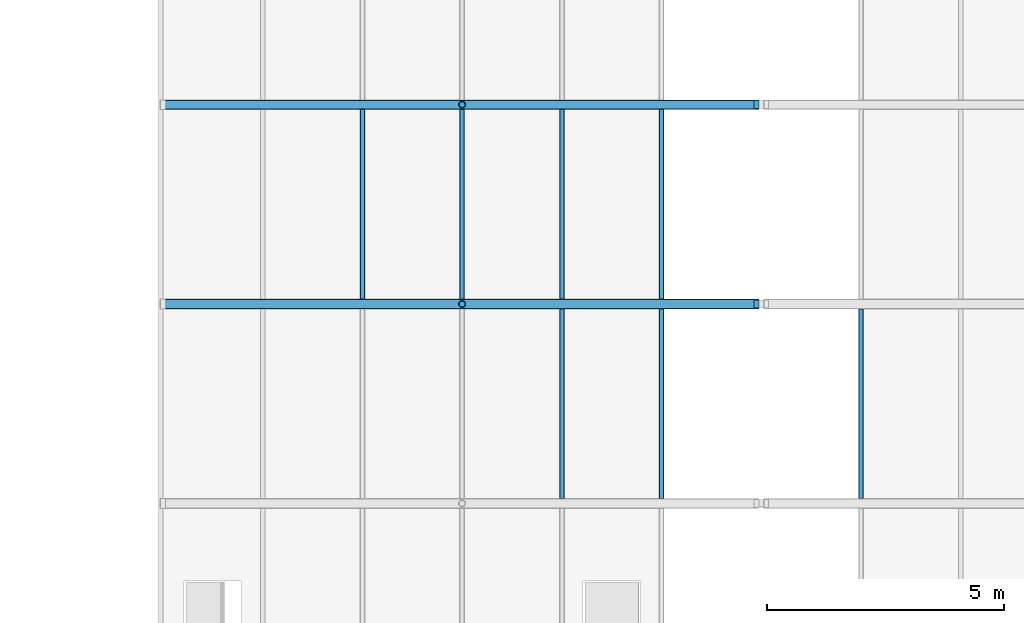
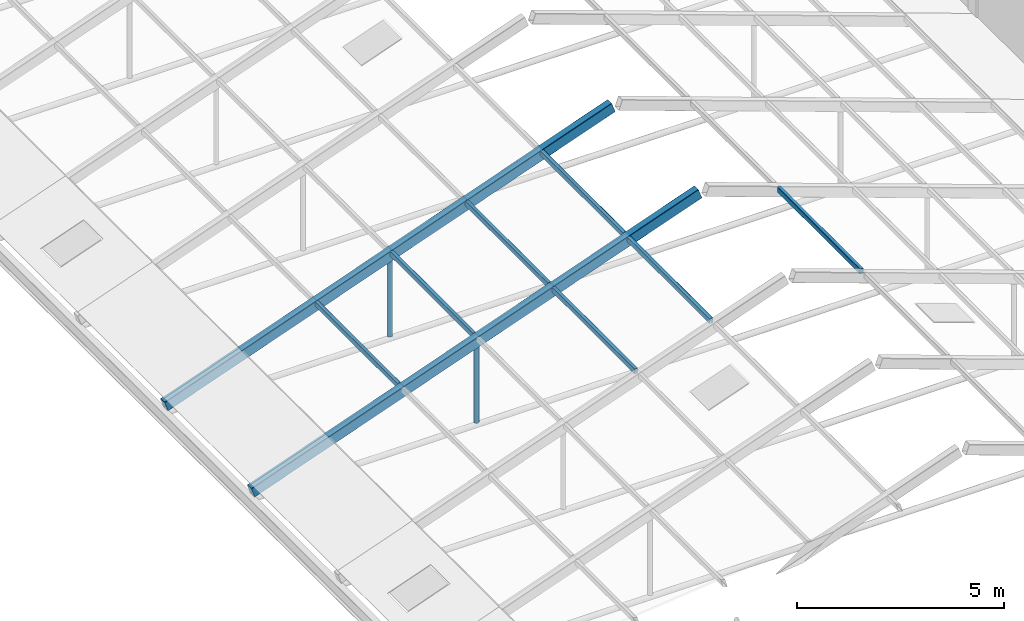
# One storey, part 48 of 116: 11 members.
"""IFC4 building model written with IfcOpenShell, lengths in metres."""

import ifcopenshell
import ifcopenshell.guid

model = None  # the IFC model being written
_history = None  # IfcOwnerHistory: only IFC2X3 demands one
_inside = {}  # id of a spatial element -> (the spatial element, [elements in it])
_under = {}  # id of a project, library or spatial element -> (it, [spatial elements below it])
_declared = {}  # id of a project -> (the project, [libraries it declares])
_typed = {}  # id of a type object -> (the type object, [elements of that type])
_made_of = {}  # id of a material, layer set ... -> (it, [elements and type objects made of it])


def new_model(schema):
    """Start an empty IFC model of exactly this schema.

    Asked for "IFC4X3", IfcOpenShell would pick the latest addendum, in which some entities
    have other attributes; the version numbers below select the first issue.
    IFC2X3 requires an IfcOwnerHistory on every rooted entity: one is made here for all.
    """
    global model, _history
    if schema == "IFC4X3":
        model = ifcopenshell.file(schema_version=(4, 3, 0, 0))
    else:
        model = ifcopenshell.file(schema=schema)
    _inside.clear()
    _under.clear()
    _declared.clear()
    _typed.clear()
    _made_of.clear()
    _history = None
    if model.schema == "IFC2X3":
        org = make("IfcOrganization", Name="unknown")
        user = make(
            "IfcPersonAndOrganization",
            ThePerson=make("IfcPerson", FamilyName="unknown"),
            TheOrganization=org,
        )
        app = make(
            "IfcApplication",
            ApplicationDeveloper=org,
            Version="unknown",
            ApplicationFullName="unknown",
            ApplicationIdentifier="unknown",
        )
        _history = make(
            "IfcOwnerHistory",
            OwningUser=user,
            OwningApplication=app,
            ChangeAction="ADDED",
            CreationDate=0,
        )
    return model


def make(cls, **values):
    """One entity of the class cls with the attributes given. An attribute that is None is left unset."""
    return model.create_entity(
        cls, **{name: value for name, value in values.items() if value is not None}
    )


def rooted(cls, **values):
    """An entity with a GlobalId (a new one), such as an element, a storey or a relation."""
    return make(cls, GlobalId=ifcopenshell.guid.new(), OwnerHistory=_history, **values)


def si_unit(unit_type, name, prefix=None):
    """IfcSIUnit, for example si_unit("LENGTHUNIT", "METRE", prefix="MILLI")."""
    return make("IfcSIUnit", UnitType=unit_type, Prefix=prefix, Name=name)


def assignment(units):
    """IfcUnitAssignment: the units of a project."""
    return None if units is None else make("IfcUnitAssignment", Units=units)


def point(xyz):
    """IfcCartesianPoint."""
    return None if xyz is None else make("IfcCartesianPoint", Coordinates=xyz)


def direction(xyz):
    """IfcDirection."""
    return None if xyz is None else make("IfcDirection", DirectionRatios=xyz)


def frame(location, z_axis=None, x_axis=None):
    """IfcAxis2Placement3D, a coordinate frame: its origin and axes. An axis left out is left unset."""
    return make(
        "IfcAxis2Placement3D",
        Location=point(location),
        Axis=direction(z_axis),
        RefDirection=direction(x_axis),
    )


def frame_2d(location, x_axis=None):
    """IfcAxis2Placement2D, a coordinate frame in the plane: its origin and x axis."""
    return make(
        "IfcAxis2Placement2D", Location=point(location), RefDirection=direction(x_axis)
    )


def origin():
    """The frame at (0, 0, 0) with its axes left unset."""
    return frame((0.0, 0.0, 0.0))


def origin_2d():
    """The frame at (0, 0) in the plane with its x axis left unset."""
    return frame_2d((0.0, 0.0))


def place(relative_to, where):
    """IfcLocalPlacement: puts the frame where relative to a parent placement (None: the world)."""
    return make(
        "IfcLocalPlacement", PlacementRelTo=relative_to, RelativePlacement=where
    )


def context(
    kind, dimensions, precision=None, world=None, true_north=None, identifier=None
):
    """IfcGeometricRepresentationContext, for example the 3D "Model" context."""
    return make(
        "IfcGeometricRepresentationContext",
        ContextIdentifier=identifier,
        ContextType=kind,
        CoordinateSpaceDimension=dimensions,
        Precision=precision,
        WorldCoordinateSystem=world,
        TrueNorth=true_north,
    )


def subcontext(parent, identifier, kind, view, scale=None):
    """IfcGeometricRepresentationSubContext, for example "Body" below "Model"."""
    return make(
        "IfcGeometricRepresentationSubContext",
        ContextIdentifier=identifier,
        ContextType=kind,
        ParentContext=parent,
        TargetScale=scale,
        TargetView=view,
    )


def project(units=None, contexts=None):
    """IfcProject with its units and contexts."""
    return rooted(
        "IfcProject",
        Name="project",
        RepresentationContexts=contexts,
        UnitsInContext=assignment(units),
    )


def spatial(cls, under=None, at=None, **own):
    """A site, building, storey or space (cls), placed at a placement, below another one or the project."""
    s = rooted(cls, ObjectPlacement=at, **own)
    if under is not None:
        _under.setdefault(under.id(), (under, []))[1].append(s)
    return s


def profile(cls, at=None, kind="AREA", **sizes):
    """A parametric profile (cls). Its sizes go by their IFC names, for example OverallWidth=200.0."""
    return make(cls, ProfileType=kind, Position=at, **sizes)


def hollow_rectangle(**sizes):
    """IfcRectangleHollowProfileDef."""
    return profile("IfcRectangleHollowProfileDef", **sizes)


def hollow_circle(**sizes):
    """IfcCircleHollowProfileDef."""
    return profile("IfcCircleHollowProfileDef", **sizes)


def extrude(swept, where, along, depth):
    """IfcExtrudedAreaSolid: the profile swept, set in the frame where, extruded along a direction by depth."""
    return make(
        "IfcExtrudedAreaSolid",
        SweptArea=swept,
        Position=where,
        ExtrudedDirection=direction(along),
        Depth=depth,
    )


def shape(context_of_items, identifier, shape_type, items):
    """IfcShapeRepresentation: the items that make up one representation, for example the "Body"."""
    return make(
        "IfcShapeRepresentation",
        ContextOfItems=context_of_items,
        RepresentationIdentifier=identifier,
        RepresentationType=shape_type,
        Items=items,
    )


def material(Name=None, Category=None):
    """IfcMaterial."""
    return make("IfcMaterial", Name=Name, Category=Category)


def material_profile(
    of_material, cross_section, Name=None, Category=None, Priority=None
):
    """IfcMaterialProfile: a cross section and its material."""
    return make(
        "IfcMaterialProfile",
        Name=Name,
        Material=of_material,
        Profile=cross_section,
        Priority=Priority,
        Category=Category,
    )


def profile_set(profiles, Name=None, composite=None):
    """IfcMaterialProfileSet."""
    return make(
        "IfcMaterialProfileSet",
        Name=Name,
        MaterialProfiles=profiles,
        CompositeProfile=composite,
    )


def made_of(thing, what):
    """Note that an element or type object is made of a material, layer set ...; save() writes the relation."""
    if what is not None:
        _made_of.setdefault(what.id(), (what, []))[1].append(thing)
    return thing


def type_object(cls, material=None, **own):
    """A type object (cls), such as IfcWallType, which elements share."""
    return made_of(rooted(cls, **own), material)


def element(
    cls,
    number,
    at=None,
    inside=None,
    cuts=None,
    type_object=None,
    material=None,
    context=None,
    identifier="Body",
    shape_type=None,
    held_by="IfcProductDefinitionShape",
    body=None,
    shapes=None,
    **own,
):
    """One element of the class cls, such as IfcWall. Its Tag is "e" and its number.

    at: its placement. inside: the storey or other place that contains it. cuts: it is an
    opening in that element (IfcRelVoidsElement). A single representation is given by context,
    identifier, shape_type and body (its items); several are given by shapes. held_by: the class
    of the entity that holds the representations. save() writes the other relations.
    """
    e = rooted(cls, Tag="e%d" % number, ObjectPlacement=at, **own)
    if body is not None:
        shapes = [shape(context, identifier, shape_type, body)]
    if shapes is not None:
        e.Representation = make(held_by, Representations=shapes)
    if inside is not None:
        _inside.setdefault(inside.id(), (inside, []))[1].append(e)
    if cuts is not None:
        rooted(
            "IfcRelVoidsElement", RelatingBuildingElement=cuts, RelatedOpeningElement=e
        )
    if type_object is not None:
        _typed.setdefault(type_object.id(), (type_object, []))[1].append(e)
    return made_of(e, material)


def aggregate(whole, parts):
    """IfcRelAggregates: a whole, such as a stair, and the parts it consists of."""
    return rooted("IfcRelAggregates", RelatingObject=whole, RelatedObjects=parts)


def save(model, path):
    """Write the relations noted so far, then the file.

    IfcRelAggregates (storeys below a building ...), IfcRelContainedInSpatialStructure (elements
    in a storey), IfcRelDefinesByType, IfcRelAssociatesMaterial and IfcRelDeclares: one each for
    every whole, place, type object, material and project.
    """
    for whole, parts in _under.values():
        aggregate(whole, parts)
    for where, things in _inside.values():
        rooted(
            "IfcRelContainedInSpatialStructure",
            RelatedElements=things,
            RelatingStructure=where,
        )
    for kind, things in _typed.values():
        rooted("IfcRelDefinesByType", RelatedObjects=things, RelatingType=kind)
    for what, things in _made_of.values():
        rooted("IfcRelAssociatesMaterial", RelatedObjects=things, RelatingMaterial=what)
    for by, libraries in _declared.values():
        rooted("IfcRelDeclares", RelatingContext=by, RelatedDefinitions=libraries)
    model.write(path)


model = new_model("IFC4")

# Units and contexts
model_context = context("Model", 3, precision=1e-05, world=origin(), true_north=direction((0.0, 1.0)))
body_context = subcontext(model_context, "Body", "Model", "MODEL_VIEW")
ifc_project = project(units=[si_unit("LENGTHUNIT", "METRE"), si_unit("AREAUNIT", "SQUARE_METRE"), si_unit("VOLUMEUNIT", "CUBIC_METRE"), si_unit("PLANEANGLEUNIT", "RADIAN"), si_unit("MASSUNIT", "GRAM", prefix="KILO")], contexts=[model_context])

# Site, building, storey
site_placement = place(None, origin())
site = spatial("IfcSite", under=ifc_project, at=site_placement, CompositionType="ELEMENT")
building_placement = place(site_placement, origin())
building = spatial("IfcBuilding", under=site, at=building_placement, Name="Fescue Hill Polytechnic", CompositionType="ELEMENT")
storey_placement = place(building_placement, frame((0.0, 0.0, 13.5)))
storey = spatial("IfcBuildingStorey", under=building, at=storey_placement, Name="L03", CompositionType="ELEMENT", Elevation=13.5)

# Members
ifc_material = material(Name="Steel 350W (350 MPa)", Category="steel")
ifc_material_profile_1 = material_profile(ifc_material, hollow_rectangle(XDim=0.1015625, YDim=0.15234375, WallThickness=0.00634765625, InnerFilletRadius=0.00634765625, OuterFilletRadius=0.0126953125, at=origin_2d()), Name="Winter garden glazing purlin HSS 152x102x6.4")
ifc_profile_set_1 = profile_set([ifc_material_profile_1], Name="Steel 350W (350 MPa)")
member_type_1 = type_object("IfcMemberType", Name="Winter garden glazing purlin HSS 152x102x6.4", PredefinedType="PURLIN", material=ifc_profile_set_1)
for number, where, z_axis, x_axis, name in (
    (1, (100.799560546875, 71.501708984375, 3.664306640625), (0.0, 1.0, 0.0), (-1.0, 0.0, 0.0), "Winter garden glazing purlin W4 bay 6"),
    (2, (102.899658203125, 71.501708984375, 4.414306640625), (0.0, 1.0, 0.0), (-1.0, 0.0, 0.0), "Winter garden glazing purlin W5 bay 6"),
):
    element("IfcMember", number, at=place(storey_placement, frame(where, z_axis=z_axis, x_axis=x_axis)), inside=storey, type_object=member_type_1, Name=name, PredefinedType="PURLIN", context=body_context, shape_type="SweptSolid", body=[
        extrude(hollow_rectangle(XDim=0.1015625, YDim=0.15234375, WallThickness=0.00634765625, InnerFilletRadius=0.00634765625, OuterFilletRadius=0.0126953125, at=origin_2d()), origin(), (0.0, 0.0, 1.0), 3.99658203125),
    ])
for number, where, z_axis, x_axis, name in (
    (3, (96.599853515625, 75.70166015625, 2.164306640625), (0.0, 1.0, 0.0), (-1.0, 0.0, 0.0), "Winter garden glazing purlin W2 bay 7"),
    (4, (98.69970703125, 75.70166015625, 2.914306640625), (0.0, 1.0, 0.0), (-1.0, 0.0, 0.0), "Winter garden glazing purlin W3 bay 7"),
    (5, (100.799560546875, 75.70166015625, 3.664306640625), (0.0, 1.0, 0.0), (-1.0, 0.0, 0.0), "Winter garden glazing purlin W4 bay 7"),
    (6, (102.899658203125, 75.70166015625, 4.414306640625), (0.0, 1.0, 0.0), (-1.0, 0.0, 0.0), "Winter garden glazing purlin W5 bay 7"),
):
    element("IfcMember", number, at=place(storey_placement, frame(where, z_axis=z_axis, x_axis=x_axis)), inside=storey, type_object=member_type_1, Name=name, PredefinedType="PURLIN", context=body_context, shape_type="SweptSolid", body=[
        extrude(hollow_rectangle(XDim=0.1015625, YDim=0.15234375, WallThickness=0.00634765625, InnerFilletRadius=0.00634765625, OuterFilletRadius=0.0126953125, at=origin_2d()), origin(), (0.0, 0.0, 1.0), 3.996826171875),
    ])
member_placement = place(storey_placement, frame((107.100341796875, 71.501708984375, 4.414306640625), z_axis=(0.0, 1.0, 0.0), x_axis=(-1.0, 0.0, 0.0)))
element("IfcMember", 7, at=member_placement, inside=storey, type_object=member_type_1, Name="Winter garden glazing purlin E5 bay 6", PredefinedType="PURLIN", context=body_context, shape_type="SweptSolid", body=[
    extrude(hollow_rectangle(XDim=0.1015625, YDim=0.15234375, WallThickness=0.00634765625, InnerFilletRadius=0.00634765625, OuterFilletRadius=0.0126953125, at=origin_2d()), origin(), (0.0, 0.0, 1.0), 3.99658203125),
])
ifc_material_profile_2 = material_profile(ifc_material, hollow_circle(Radius=0.070556640625, WallThickness=0.00634765625, at=origin_2d()), Name="Winter garden queen post CHS 141x6.4")
ifc_profile_set_2 = profile_set([ifc_material_profile_2], Name="Steel 350W (350 MPa)")
member_type_2 = type_object("IfcMemberType", Name="Winter garden queen post CHS 141x6.4", PredefinedType="POST", material=ifc_profile_set_2)
for number, where, z_axis, x_axis, name in (
    (8, (98.699951171875, 75.60009765625, 0.4169921875), (0.0, 0.0, 1.0), (1.0, 0.0, 0.0), "Winter garden queen post 7A"),
    (9, (98.699951171875, 79.800048828125, 0.4169921875), (0.0, 0.0, 1.0), (1.0, 0.0, 0.0), "Winter garden queen post 8A"),
):
    element("IfcMember", number, at=place(storey_placement, frame(where, z_axis=z_axis, x_axis=x_axis)), inside=storey, type_object=member_type_2, Name=name, PredefinedType="POST", context=body_context, shape_type="SweptSolid", body=[
        extrude(hollow_circle(Radius=0.070556640625, WallThickness=0.00634765625, at=origin_2d()), origin(), (0.0, 0.0, 1.0), 2.25),
    ])
ifc_material_profile_3 = material_profile(ifc_material, hollow_rectangle(XDim=0.203125, YDim=0.3046875, WallThickness=0.009521484375, InnerFilletRadius=0.009521484375, OuterFilletRadius=0.01904296875, at=origin_2d()), Name="Winter garden rafter HSS 305x203x9.5")
ifc_profile_set_3 = profile_set([ifc_material_profile_3], Name="Steel 350W (350 MPa)")
member_type_3 = type_object("IfcMemberType", Name="Winter garden rafter HSS 305x203x9.5", PredefinedType="RAFTER", material=ifc_profile_set_3)
for number, where, z_axis, x_axis, name in (
    (10, (92.39990234375, 75.60009765625, 0.578857421875), (0.941740247025, 0.0, 0.336341057756), (0.0, 1.0, 0.0), "Winter garden rafter W7"),
    (11, (92.39990234375, 79.800048828125, 0.578857421875), (0.941740247025, 0.0, 0.336341057756), (0.0, 1.0, 0.0), "Winter garden rafter W8"),
):
    element("IfcMember", number, at=place(storey_placement, frame(where, z_axis=z_axis, x_axis=x_axis)), inside=storey, type_object=member_type_3, Name=name, PredefinedType="RAFTER", context=body_context, shape_type="SweptSolid", body=[
        extrude(hollow_rectangle(XDim=0.203125, YDim=0.3046875, WallThickness=0.009521484375, InnerFilletRadius=0.009521484375, OuterFilletRadius=0.01904296875, at=origin_2d()), origin(), (0.0, 0.0, 1.0), 13.273193359375),
    ])

save(model, "model.ifc")
